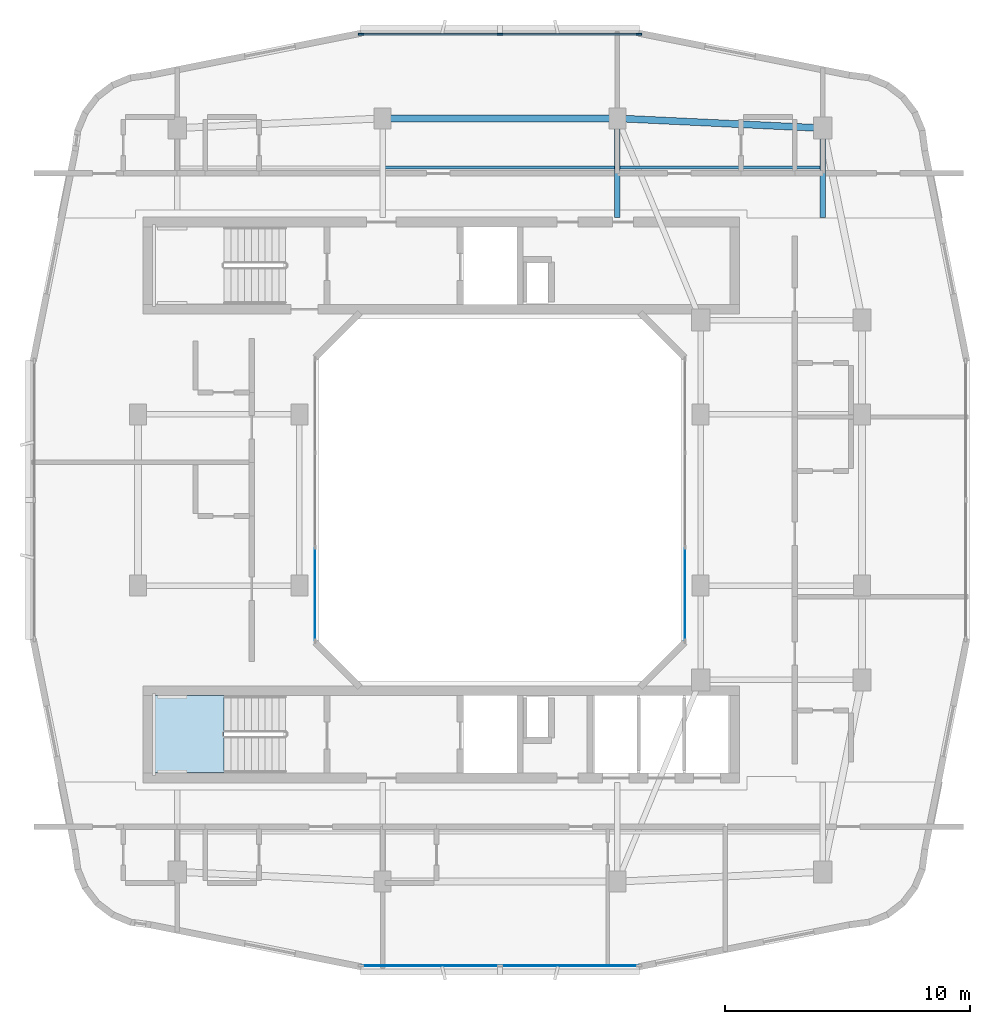
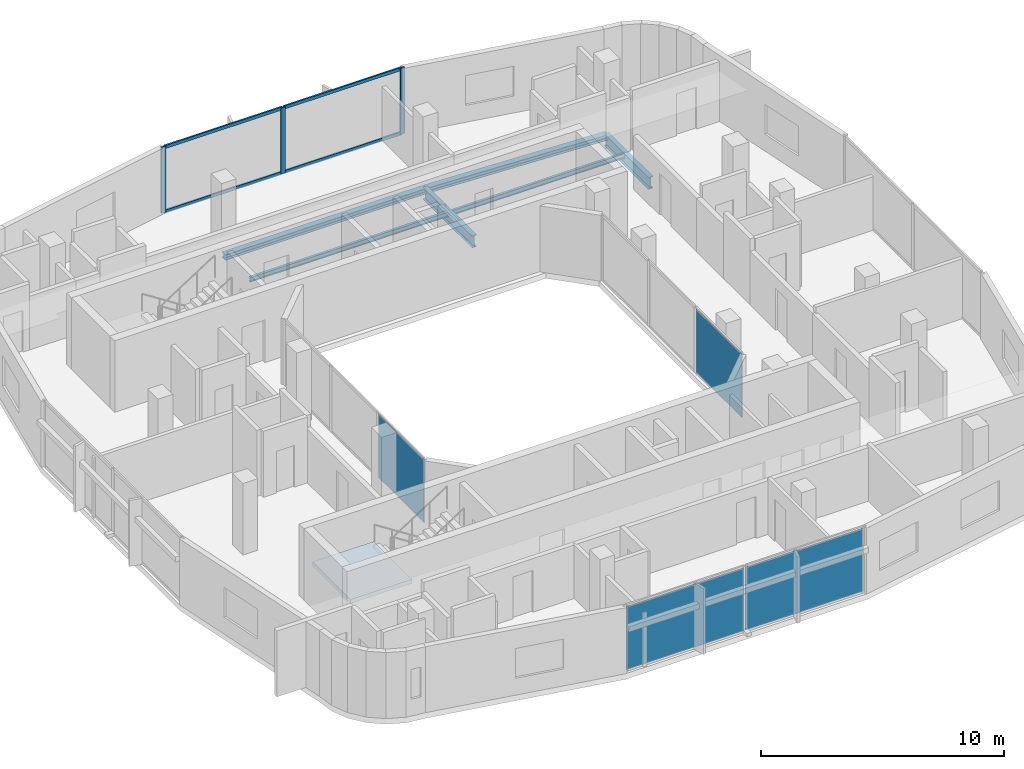
# One storey, part 5 of 14: 7 members, 6 beams, 4 plates, 1 slab, 5 elements without a shape of their own.
"""IFC4 building model written with IfcOpenShell, lengths in metres."""

import ifcopenshell
import ifcopenshell.guid

model = None  # the IFC model being written
_history = None  # IfcOwnerHistory: only IFC2X3 demands one
_inside = {}  # id of a spatial element -> (the spatial element, [elements in it])
_under = {}  # id of a project, library or spatial element -> (it, [spatial elements below it])
_declared = {}  # id of a project -> (the project, [libraries it declares])
_typed = {}  # id of a type object -> (the type object, [elements of that type])
_made_of = {}  # id of a material, layer set ... -> (it, [elements and type objects made of it])


def new_model(schema):
    """Start an empty IFC model of exactly this schema.

    Asked for "IFC4X3", IfcOpenShell would pick the latest addendum, in which some entities
    have other attributes; the version numbers below select the first issue.
    IFC2X3 requires an IfcOwnerHistory on every rooted entity: one is made here for all.
    """
    global model, _history
    if schema == "IFC4X3":
        model = ifcopenshell.file(schema_version=(4, 3, 0, 0))
    else:
        model = ifcopenshell.file(schema=schema)
    _inside.clear()
    _under.clear()
    _declared.clear()
    _typed.clear()
    _made_of.clear()
    _history = None
    if model.schema == "IFC2X3":
        org = make("IfcOrganization", Name="unknown")
        user = make(
            "IfcPersonAndOrganization",
            ThePerson=make("IfcPerson", FamilyName="unknown"),
            TheOrganization=org,
        )
        app = make(
            "IfcApplication",
            ApplicationDeveloper=org,
            Version="unknown",
            ApplicationFullName="unknown",
            ApplicationIdentifier="unknown",
        )
        _history = make(
            "IfcOwnerHistory",
            OwningUser=user,
            OwningApplication=app,
            ChangeAction="ADDED",
            CreationDate=0,
        )
    return model


def make(cls, **values):
    """One entity of the class cls with the attributes given. An attribute that is None is left unset."""
    return model.create_entity(
        cls, **{name: value for name, value in values.items() if value is not None}
    )


def rooted(cls, **values):
    """An entity with a GlobalId (a new one), such as an element, a storey or a relation."""
    return make(cls, GlobalId=ifcopenshell.guid.new(), OwnerHistory=_history, **values)


def si_unit(unit_type, name, prefix=None):
    """IfcSIUnit, for example si_unit("LENGTHUNIT", "METRE", prefix="MILLI")."""
    return make("IfcSIUnit", UnitType=unit_type, Prefix=prefix, Name=name)


def derived_unit(unit_type, elements):
    """IfcDerivedUnit: a product of units, each with its exponent."""
    return make(
        "IfcDerivedUnit",
        Elements=[
            make("IfcDerivedUnitElement", Unit=unit, Exponent=power)
            for unit, power in elements
        ],
        UnitType=unit_type,
    )


def assignment(units):
    """IfcUnitAssignment: the units of a project."""
    return None if units is None else make("IfcUnitAssignment", Units=units)


def point(xyz):
    """IfcCartesianPoint."""
    return None if xyz is None else make("IfcCartesianPoint", Coordinates=xyz)


def direction(xyz):
    """IfcDirection."""
    return None if xyz is None else make("IfcDirection", DirectionRatios=xyz)


def frame(location, z_axis=None, x_axis=None):
    """IfcAxis2Placement3D, a coordinate frame: its origin and axes. An axis left out is left unset."""
    return make(
        "IfcAxis2Placement3D",
        Location=point(location),
        Axis=direction(z_axis),
        RefDirection=direction(x_axis),
    )


def frame_2d(location, x_axis=None):
    """IfcAxis2Placement2D, a coordinate frame in the plane: its origin and x axis."""
    return make(
        "IfcAxis2Placement2D", Location=point(location), RefDirection=direction(x_axis)
    )


def origin():
    """The frame at (0, 0, 0) with its axes left unset."""
    return frame((0.0, 0.0, 0.0))


def origin_2d():
    """The frame at (0, 0) in the plane with its x axis left unset."""
    return frame_2d((0.0, 0.0))


def place(relative_to, where):
    """IfcLocalPlacement: puts the frame where relative to a parent placement (None: the world)."""
    return make(
        "IfcLocalPlacement", PlacementRelTo=relative_to, RelativePlacement=where
    )


def context(
    kind, dimensions, precision=None, world=None, true_north=None, identifier=None
):
    """IfcGeometricRepresentationContext, for example the 3D "Model" context."""
    return make(
        "IfcGeometricRepresentationContext",
        ContextIdentifier=identifier,
        ContextType=kind,
        CoordinateSpaceDimension=dimensions,
        Precision=precision,
        WorldCoordinateSystem=world,
        TrueNorth=true_north,
    )


def subcontext(parent, identifier, kind, view, scale=None):
    """IfcGeometricRepresentationSubContext, for example "Body" below "Model"."""
    return make(
        "IfcGeometricRepresentationSubContext",
        ContextIdentifier=identifier,
        ContextType=kind,
        ParentContext=parent,
        TargetScale=scale,
        TargetView=view,
    )


def project(units=None, contexts=None):
    """IfcProject with its units and contexts."""
    return rooted(
        "IfcProject",
        Name="project",
        RepresentationContexts=contexts,
        UnitsInContext=assignment(units),
    )


def spatial(cls, under=None, at=None, **own):
    """A site, building, storey or space (cls), placed at a placement, below another one or the project."""
    s = rooted(cls, ObjectPlacement=at, **own)
    if under is not None:
        _under.setdefault(under.id(), (under, []))[1].append(s)
    return s


def polyline(points):
    """IfcPolyline through the points."""
    return make("IfcPolyline", Points=[point(p) for p in points])


def profile(cls, at=None, kind="AREA", **sizes):
    """A parametric profile (cls). Its sizes go by their IFC names, for example OverallWidth=200.0."""
    return make(cls, ProfileType=kind, Position=at, **sizes)


def rectangle(**sizes):
    """IfcRectangleProfileDef."""
    return profile("IfcRectangleProfileDef", **sizes)


def i_section(**sizes):
    """IfcIShapeProfileDef."""
    return profile("IfcIShapeProfileDef", **sizes)


def outline(outer, holes=None, kind="AREA"):
    """IfcArbitraryClosedProfileDef: a profile drawn as a closed curve; with holes, ...WithVoids."""
    if holes is None:
        return make("IfcArbitraryClosedProfileDef", ProfileType=kind, OuterCurve=outer)
    return make(
        "IfcArbitraryProfileDefWithVoids",
        ProfileType=kind,
        OuterCurve=outer,
        InnerCurves=holes,
    )


def extrude(swept, where, along, depth):
    """IfcExtrudedAreaSolid: the profile swept, set in the frame where, extruded along a direction by depth."""
    return make(
        "IfcExtrudedAreaSolid",
        SweptArea=swept,
        Position=where,
        ExtrudedDirection=direction(along),
        Depth=depth,
    )


def shape(context_of_items, identifier, shape_type, items):
    """IfcShapeRepresentation: the items that make up one representation, for example the "Body"."""
    return make(
        "IfcShapeRepresentation",
        ContextOfItems=context_of_items,
        RepresentationIdentifier=identifier,
        RepresentationType=shape_type,
        Items=items,
    )


def material(Name=None, Category=None):
    """IfcMaterial."""
    return make("IfcMaterial", Name=Name, Category=Category)


def layer(
    of_material, thickness, ventilated=None, Name=None, Category=None, Priority=None
):
    """IfcMaterialLayer: one layer of a wall or slab, of a material (None: an air gap)."""
    return make(
        "IfcMaterialLayer",
        Material=of_material,
        LayerThickness=thickness,
        IsVentilated=ventilated,
        Name=Name,
        Category=Category,
        Priority=Priority,
    )


def layer_set(layers, Name=None):
    """IfcMaterialLayerSet."""
    return make("IfcMaterialLayerSet", MaterialLayers=layers, LayerSetName=Name)


def material_profile(
    of_material, cross_section, Name=None, Category=None, Priority=None
):
    """IfcMaterialProfile: a cross section and its material."""
    return make(
        "IfcMaterialProfile",
        Name=Name,
        Material=of_material,
        Profile=cross_section,
        Priority=Priority,
        Category=Category,
    )


def profile_set(profiles, Name=None, composite=None):
    """IfcMaterialProfileSet."""
    return make(
        "IfcMaterialProfileSet",
        Name=Name,
        MaterialProfiles=profiles,
        CompositeProfile=composite,
    )


def made_of(thing, what):
    """Note that an element or type object is made of a material, layer set ...; save() writes the relation."""
    if what is not None:
        _made_of.setdefault(what.id(), (what, []))[1].append(thing)
    return thing


def type_object(cls, material=None, **own):
    """A type object (cls), such as IfcWallType, which elements share."""
    return made_of(rooted(cls, **own), material)


def element(
    cls,
    number,
    at=None,
    inside=None,
    cuts=None,
    type_object=None,
    material=None,
    context=None,
    identifier="Body",
    shape_type=None,
    held_by="IfcProductDefinitionShape",
    body=None,
    shapes=None,
    **own,
):
    """One element of the class cls, such as IfcWall. Its Tag is "e" and its number.

    at: its placement. inside: the storey or other place that contains it. cuts: it is an
    opening in that element (IfcRelVoidsElement). A single representation is given by context,
    identifier, shape_type and body (its items); several are given by shapes. held_by: the class
    of the entity that holds the representations. save() writes the other relations.
    """
    e = rooted(cls, Tag="e%d" % number, ObjectPlacement=at, **own)
    if body is not None:
        shapes = [shape(context, identifier, shape_type, body)]
    if shapes is not None:
        e.Representation = make(held_by, Representations=shapes)
    if inside is not None:
        _inside.setdefault(inside.id(), (inside, []))[1].append(e)
    if cuts is not None:
        rooted(
            "IfcRelVoidsElement", RelatingBuildingElement=cuts, RelatedOpeningElement=e
        )
    if type_object is not None:
        _typed.setdefault(type_object.id(), (type_object, []))[1].append(e)
    return made_of(e, material)


def aggregate(whole, parts):
    """IfcRelAggregates: a whole, such as a stair, and the parts it consists of."""
    return rooted("IfcRelAggregates", RelatingObject=whole, RelatedObjects=parts)


def save(model, path):
    """Write the relations noted so far, then the file.

    IfcRelAggregates (storeys below a building ...), IfcRelContainedInSpatialStructure (elements
    in a storey), IfcRelDefinesByType, IfcRelAssociatesMaterial and IfcRelDeclares: one each for
    every whole, place, type object, material and project.
    """
    for whole, parts in _under.values():
        aggregate(whole, parts)
    for where, things in _inside.values():
        rooted(
            "IfcRelContainedInSpatialStructure",
            RelatedElements=things,
            RelatingStructure=where,
        )
    for kind, things in _typed.values():
        rooted("IfcRelDefinesByType", RelatedObjects=things, RelatingType=kind)
    for what, things in _made_of.values():
        rooted("IfcRelAssociatesMaterial", RelatedObjects=things, RelatingMaterial=what)
    for by, libraries in _declared.values():
        rooted("IfcRelDeclares", RelatingContext=by, RelatedDefinitions=libraries)
    model.write(path)


model = new_model("IFC4")

# Units and contexts
model_context = context("Model", 3, precision=1e-05, world=origin(), true_north=direction((0.0, 1.0)))
body_context = subcontext(model_context, "Body", "Model", "MODEL_VIEW")
ifc_project = project(units=[si_unit("LENGTHUNIT", "METRE"), si_unit("AREAUNIT", "SQUARE_METRE"), si_unit("VOLUMEUNIT", "CUBIC_METRE"), si_unit("PLANEANGLEUNIT", "RADIAN"), si_unit("MASSUNIT", "GRAM", prefix="KILO"), derived_unit("THERMALTRANSMITTANCEUNIT", [(si_unit("POWERUNIT", "WATT"), 1), (si_unit("LENGTHUNIT", "METRE"), -2), (si_unit("THERMODYNAMICTEMPERATUREUNIT", "KELVIN"), -1)])], contexts=[model_context])

# Site, building, storey
site_placement = place(None, origin())
site = spatial("IfcSite", under=ifc_project, at=site_placement, CompositionType="ELEMENT")
building_placement = place(site_placement, origin())
building = spatial("IfcBuilding", under=site, at=building_placement, Name="Kivonza Crest Hotel", CompositionType="ELEMENT")
storey_placement = place(building_placement, frame((0.0, 0.0, 202.699951171875)))
storey = spatial("IfcBuildingStorey", under=building, at=storey_placement, Name="L55", CompositionType="ELEMENT", Elevation=202.699951171875)

# Beams
ifc_material_1 = material(Name="Steel S355", Category="steel")
ifc_material_profile_1 = material_profile(ifc_material_1, i_section(OverallWidth=0.280029296875, OverallDepth=0.280029296875, WebThickness=0.010498046875, FlangeThickness=0.01806640625, FilletRadius=0.02392578125, at=origin_2d()), Name="HEB 280")
ifc_profile_set_1 = profile_set([ifc_material_profile_1], Name="Steel S355")
beam_type_1 = type_object("IfcBeamType", Name="BM-HEB280", PredefinedType="SPANDREL", material=ifc_profile_set_1)
beam_1_placement = place(storey_placement, frame((34.199951171875, 40.199951171875, -0.419921875), z_axis=(-0.998867283688, 0.047583080799, 0.0), x_axis=(-0.047583080799, -0.998867283688, 0.0)))
element("IfcBeam", 1, at=beam_1_placement, inside=storey, type_object=beam_type_1, Name="Tower T1 L55 perimeter spandrel NE-N2", PredefinedType="SPANDREL", context=body_context, shape_type="SweptSolid", body=[
    extrude(i_section(OverallWidth=0.280029296875, OverallDepth=0.280029296875, WebThickness=0.010498046875, FlangeThickness=0.01806640625, FilletRadius=0.02392578125, at=origin_2d()), origin(), (0.0, 0.0, 1.0), 8.409423828125),
])
beam_2_placement = place(storey_placement, frame((25.800048828125, 40.60009765625, -0.419921875), z_axis=(-1.0, 0.0, 0.0), x_axis=(0.0, -1.0, 0.0)))
element("IfcBeam", 2, at=beam_2_placement, inside=storey, type_object=beam_type_1, Name="Tower T1 L55 perimeter spandrel N2-N1", PredefinedType="SPANDREL", context=body_context, shape_type="SweptSolid", body=[
    extrude(i_section(OverallWidth=0.280029296875, OverallDepth=0.280029296875, WebThickness=0.010498046875, FlangeThickness=0.01806640625, FilletRadius=0.02392578125, at=origin_2d()), origin(), (0.0, 0.0, 1.0), 9.60009765625),
])
ifc_material_profile_2 = material_profile(ifc_material_1, i_section(OverallWidth=0.1201171875, OverallDepth=0.239990234375, WebThickness=0.006103515625, FlangeThickness=0.009765625, FilletRadius=0.014892578125, at=origin_2d()), Name="IPE 240")
ifc_profile_set_2 = profile_set([ifc_material_profile_2], Name="Steel S355")
beam_type_2 = type_object("IfcBeamType", Name="BM-IPE240", PredefinedType="JOIST", material=ifc_profile_set_2)
beam_3_placement = place(storey_placement, frame((16.280029296875, 38.60009765625, -0.39990234375), z_axis=(1.0, 0.0, 0.0), x_axis=(0.0, 1.0, 0.0)))
element("IfcBeam", 3, at=beam_3_placement, inside=storey, type_object=beam_type_2, Name="Tower T1 L55 North-Mid floor joist", PredefinedType="JOIST", context=body_context, shape_type="SweptSolid", body=[
    extrude(i_section(OverallWidth=0.1201171875, OverallDepth=0.239990234375, WebThickness=0.006103515625, FlangeThickness=0.009765625, FilletRadius=0.014892578125, at=origin_2d()), origin(), (0.0, 0.0, 1.0), 9.43994140625),
])
beam_4_placement = place(storey_placement, frame((25.8798828125, 38.60009765625, -0.39990234375), z_axis=(1.0, 0.0, 0.0), x_axis=(0.0, 1.0, 0.0)))
element("IfcBeam", 4, at=beam_4_placement, inside=storey, type_object=beam_type_2, Name="Tower T1 L55 North-East floor joist", PredefinedType="JOIST", context=body_context, shape_type="SweptSolid", body=[
    extrude(i_section(OverallWidth=0.1201171875, OverallDepth=0.239990234375, WebThickness=0.006103515625, FlangeThickness=0.009765625, FilletRadius=0.014892578125, at=origin_2d()), origin(), (0.0, 0.0, 1.0), 8.240234375),
])
ifc_material_profile_3 = material_profile(ifc_material_1, i_section(OverallWidth=0.219970703125, OverallDepth=0.60009765625, WebThickness=0.011962890625, FlangeThickness=0.01904296875, FilletRadius=0.02392578125, at=origin_2d()), Name="IPE 600")
ifc_profile_set_3 = profile_set([ifc_material_profile_3], Name="Steel S355")
beam_type_3 = type_object("IfcBeamType", Name="BM-IPE600", PredefinedType="BEAM", material=ifc_profile_set_3)
beam_5_placement = place(storey_placement, frame((25.800048828125, 40.60009765625, -0.579833984375), z_axis=(0.0, -1.0, 0.0), x_axis=(1.0, 0.0, 0.0)))
element("IfcBeam", 5, at=beam_5_placement, inside=storey, type_object=beam_type_3, Name="Tower T1 L55 radial core girder RN2", PredefinedType="BEAM", context=body_context, shape_type="SweptSolid", body=[
    extrude(i_section(OverallWidth=0.219970703125, OverallDepth=0.60009765625, WebThickness=0.011962890625, FlangeThickness=0.01904296875, FilletRadius=0.02392578125, at=origin_2d()), origin(), (0.0, 0.0, 1.0), 4.050048828125),
])
beam_6_placement = place(storey_placement, frame((34.199951171875, 40.199951171875, -0.579833984375), z_axis=(0.0, -1.0, 0.0), x_axis=(1.0, 0.0, 0.0)))
element("IfcBeam", 6, at=beam_6_placement, inside=storey, type_object=beam_type_3, Name="Tower T1 L55 radial core girder RNE", PredefinedType="BEAM", context=body_context, shape_type="SweptSolid", body=[
    extrude(i_section(OverallWidth=0.219970703125, OverallDepth=0.60009765625, WebThickness=0.011962890625, FlangeThickness=0.01904296875, FilletRadius=0.02392578125, at=origin_2d()), origin(), (0.0, 0.0, 1.0), 3.64990234375),
])

# Curtain wall, members
ifc_material_2 = material(Name="Anodised bronze aluminium and low-E double glazing", Category="aluminium")
ifc_layer_1 = layer(ifc_material_2, 0.179931640625)
ifc_layer_set_1 = layer_set([ifc_layer_1], Name="Anodised bronze aluminium and low-E double glazing")
curtain_wall_type_1 = type_object("IfcCurtainWallType", Name="CW-SYS-3", PredefinedType="NOTDEFINED", material=ifc_layer_set_1)
curtain_wall_1_placement = place(storey_placement, origin())
curtain_wall_1 = element("IfcCurtainWall", 7, at=curtain_wall_1_placement, inside=storey, type_object=curtain_wall_type_1, Name="L55 unitised curtain wall CW-T1-L55-26", PredefinedType="NOTDEFINED")
ifc_material_3 = material(Name="Anodised bronze aluminium", Category="aluminium")
ifc_material_profile_4 = material_profile(ifc_material_3, rectangle(XDim=0.074951171875, YDim=0.219970703125, at=origin_2d()), Name="CW-M 75x220")
ifc_profile_set_4 = profile_set([ifc_material_profile_4], Name="Anodised bronze aluminium")
member_type_1 = type_object("IfcMemberType", Name="CW-MUL-75x220", PredefinedType="MULLION", material=ifc_profile_set_4)
member_1_placement = place(storey_placement, frame((26.6826171875, 44.0400390625, 0.0), z_axis=(0.0, 0.0, 1.0), x_axis=(0.0, -1.0, 0.0)))
member_1 = element("IfcMember", 8, at=member_1_placement, type_object=member_type_1, Name="CW-3 mullion 1", PredefinedType="MULLION", context=body_context, shape_type="SweptSolid", body=[
    extrude(rectangle(XDim=0.074951171875, YDim=0.219970703125, at=origin_2d()), origin(), (0.0, 0.0, 1.0), 3.320068359375),
])
member_2_placement = place(storey_placement, frame((21.0, 44.0400390625, 0.0), z_axis=(0.0, 0.0, 1.0), x_axis=(0.0, -1.0, 0.0)))
member_2 = element("IfcMember", 9, at=member_2_placement, type_object=member_type_1, Name="CW-3 mullion 2", PredefinedType="MULLION", context=body_context, shape_type="SweptSolid", body=[
    extrude(rectangle(XDim=0.074951171875, YDim=0.219970703125, at=origin_2d()), origin(), (0.0, 0.0, 1.0), 3.320068359375),
])
member_3_placement = place(storey_placement, frame((15.3173828125, 44.0400390625, 0.0), z_axis=(0.0, 0.0, 1.0), x_axis=(0.0, -1.0, 0.0)))
member_3 = element("IfcMember", 10, at=member_3_placement, type_object=member_type_1, Name="CW-3 mullion 3", PredefinedType="MULLION", context=body_context, shape_type="SweptSolid", body=[
    extrude(rectangle(XDim=0.074951171875, YDim=0.219970703125, at=origin_2d()), origin(), (0.0, 0.0, 1.0), 3.320068359375),
])
ifc_material_profile_5 = material_profile(ifc_material_3, rectangle(XDim=0.074951171875, YDim=0.159912109375, at=origin_2d()), Name="CW-T 75x160")
ifc_profile_set_5 = profile_set([ifc_material_profile_5], Name="Anodised bronze aluminium")
member_type_2 = type_object("IfcMemberType", Name="CW-TRN-75x160", PredefinedType="USERDEFINED", material=ifc_profile_set_5)
member_4_placement = place(storey_placement, frame((26.64501953125, 44.0400390625, 0.03759765625), z_axis=(-1.0, 0.0, 0.0), x_axis=(0.0, -1.0, 0.0)))
member_4 = element("IfcMember", 11, at=member_4_placement, type_object=member_type_2, Name="CW-3 transom 1.1", ObjectType="TRANSOM", PredefinedType="USERDEFINED", context=body_context, shape_type="SweptSolid", body=[
    extrude(rectangle(XDim=0.074951171875, YDim=0.159912109375, at=origin_2d()), origin(), (0.0, 0.0, 1.0), 5.607421875),
])
member_5_placement = place(storey_placement, frame((26.64501953125, 44.0400390625, 3.282470703125), z_axis=(-1.0, 0.0, 0.0), x_axis=(0.0, -1.0, 0.0)))
member_5 = element("IfcMember", 12, at=member_5_placement, type_object=member_type_2, Name="CW-3 transom 1.2", ObjectType="TRANSOM", PredefinedType="USERDEFINED", context=body_context, shape_type="SweptSolid", body=[
    extrude(rectangle(XDim=0.074951171875, YDim=0.159912109375, at=origin_2d()), origin(), (0.0, 0.0, 1.0), 5.607421875),
])
member_6_placement = place(storey_placement, frame((20.96240234375, 44.0400390625, 0.03759765625), z_axis=(-1.0, 0.0, 0.0), x_axis=(0.0, -1.0, 0.0)))
member_6 = element("IfcMember", 13, at=member_6_placement, type_object=member_type_2, Name="CW-3 transom 2.1", ObjectType="TRANSOM", PredefinedType="USERDEFINED", context=body_context, shape_type="SweptSolid", body=[
    extrude(rectangle(XDim=0.074951171875, YDim=0.159912109375, at=origin_2d()), origin(), (0.0, 0.0, 1.0), 5.607421875),
])
member_7_placement = place(storey_placement, frame((20.96240234375, 44.0400390625, 3.282470703125), z_axis=(-1.0, 0.0, 0.0), x_axis=(0.0, -1.0, 0.0)))
member_7 = element("IfcMember", 14, at=member_7_placement, type_object=member_type_2, Name="CW-3 transom 2.2", ObjectType="TRANSOM", PredefinedType="USERDEFINED", context=body_context, shape_type="SweptSolid", body=[
    extrude(rectangle(XDim=0.074951171875, YDim=0.159912109375, at=origin_2d()), origin(), (0.0, 0.0, 1.0), 5.607421875),
])
aggregate(curtain_wall_1, [member_1, member_2, member_3, member_4, member_5, member_6, member_7])

# Curtain wall, plate
ifc_layer_2 = layer(ifc_material_2, 0.159912109375)
ifc_layer_set_2 = layer_set([ifc_layer_2], Name="Anodised bronze aluminium and low-E double glazing")
curtain_wall_type_2 = type_object("IfcCurtainWallType", Name="CW-SYS-5", PredefinedType="NOTDEFINED", material=ifc_layer_set_2)
curtain_wall_2_placement = place(storey_placement, origin())
curtain_wall_2 = element("IfcCurtainWall", 15, at=curtain_wall_2_placement, inside=storey, type_object=curtain_wall_type_2, Name="L55 unitised curtain wall CW-WELL-T1-L55-3", PredefinedType="NOTDEFINED")
ifc_material_4 = material(Name="Solar-control low-E double glazing", Category="glass")
ifc_layer_3 = layer(ifc_material_4, 0.028076171875)
ifc_layer_set_3 = layer_set([ifc_layer_3], Name="Solar-control low-E double glazing")
plate_type_1 = type_object("IfcPlateType", Name="CW-PNL-28", PredefinedType="CURTAIN_PANEL", material=ifc_layer_set_3)
plate_1_placement = place(storey_placement, frame((28.56005859375, 21.149658203125, 0.065185546875), z_axis=(0.0, 0.0, 1.0), x_axis=(0.0, 1.0, 0.0)))
plate_1 = element("IfcPlate", 16, at=plate_1_placement, type_object=plate_type_1, Name="CW-5 panel 1.1", PredefinedType="CURTAIN_PANEL", context=body_context, shape_type="SweptSolid", body=[
    extrude(rectangle(XDim=3.769287109375, YDim=0.028076171875, at=origin_2d()), origin(), (0.0, 0.0, 1.0), 3.18994140625),
])
aggregate(curtain_wall_2, [plate_1])

curtain_wall_3_placement = place(storey_placement, origin())
curtain_wall_3 = element("IfcCurtainWall", 17, at=curtain_wall_3_placement, inside=storey, type_object=curtain_wall_type_2, Name="L55 unitised curtain wall CW-WELL-T1-L55-7", PredefinedType="NOTDEFINED")
plate_2_placement = place(storey_placement, frame((13.43994140625, 21.149658203125, 0.065185546875), z_axis=(0.0, 0.0, 1.0), x_axis=(0.0, -1.0, 0.0)))
plate_2 = element("IfcPlate", 18, at=plate_2_placement, type_object=plate_type_1, Name="CW-5 panel 3.1", PredefinedType="CURTAIN_PANEL", context=body_context, shape_type="SweptSolid", body=[
    extrude(rectangle(XDim=3.769287109375, YDim=0.028076171875, at=origin_2d()), origin(), (0.0, 0.0, 1.0), 3.18994140625),
])
aggregate(curtain_wall_3, [plate_2])

# Curtain wall, plates
curtain_wall_4_placement = place(storey_placement, origin())
curtain_wall_4 = element("IfcCurtainWall", 19, at=curtain_wall_4_placement, inside=storey, type_object=curtain_wall_type_1, Name="L55 unitised curtain wall CW-T1-L55-08", PredefinedType="NOTDEFINED")
ifc_material_5 = material(Name="Acoustic triple-laminated low-E glazing", Category="glass")
ifc_layer_4 = layer(ifc_material_5, 0.035888671875)
ifc_layer_set_4 = layer_set([ifc_layer_4], Name="Acoustic triple-laminated low-E glazing")
plate_type_2 = type_object("IfcPlateType", Name="CW-PNL-36", PredefinedType="CURTAIN_PANEL", material=ifc_layer_set_4)
plate_3_placement = place(storey_placement, frame((18.15869140625, 5.9599609375, 0.0751953125), z_axis=(0.0, 0.0, 1.0), x_axis=(1.0, 0.0, 0.0)))
plate_3 = element("IfcPlate", 20, at=plate_3_placement, type_object=plate_type_2, Name="CW-3 panel 1.1", PredefinedType="CURTAIN_PANEL", context=body_context, shape_type="SweptSolid", body=[
    extrude(rectangle(XDim=5.607421875, YDim=0.035888671875, at=origin_2d()), origin(), (0.0, 0.0, 1.0), 3.169921875),
])
plate_4_placement = place(storey_placement, frame((23.84130859375, 5.9599609375, 0.0751953125), z_axis=(0.0, 0.0, 1.0), x_axis=(1.0, 0.0, 0.0)))
plate_4 = element("IfcPlate", 21, at=plate_4_placement, type_object=plate_type_2, Name="CW-3 panel 2.1", PredefinedType="CURTAIN_PANEL", context=body_context, shape_type="SweptSolid", body=[
    extrude(rectangle(XDim=5.607421875, YDim=0.035888671875, at=origin_2d()), origin(), (0.0, 0.0, 1.0), 3.169921875),
])
aggregate(curtain_wall_4, [plate_3, plate_4])

# Stair, slab
ifc_material_6 = material(Name="Concrete C40/50", Category="concrete")
stair_type = type_object("IfcStairType", Name="ST-DL-20R", PredefinedType="HALF_TURN_STAIR", material=ifc_material_6)
stair_placement = place(storey_placement, origin())
stair = element("IfcStair", 22, at=stair_placement, inside=storey, type_object=stair_type, Name="L55 Protected Exit Stair ST-T1-S", PredefinedType="HALF_TURN_STAIR")
ifc_layer_5 = layer(ifc_material_6, 0.199951171875)
ifc_layer_set_5 = layer_set([ifc_layer_5], Name="Concrete C40/50")
slab_type = type_object("IfcSlabType", Name="SL-LAND-200", PredefinedType="LANDING", material=ifc_layer_set_5)
slab_placement = place(storey_placement, frame((0.0, 0.0, 1.60009765625)))
slab = element("IfcSlab", 23, at=slab_placement, type_object=slab_type, Name="ST-T1-S landing 1", PredefinedType="LANDING", context=body_context, shape_type="SweptSolid", body=[
    extrude(outline(polyline([(9.719970703125, 17.0), (6.800048828125, 17.0), (6.800048828125, 13.860107421875), (9.719970703125, 13.860107421875), (9.719970703125, 17.0)])), origin(), (0.0, 0.0, 1.0), 0.199951171875),
])
aggregate(stair, [slab])

save(model, "model.ifc")
